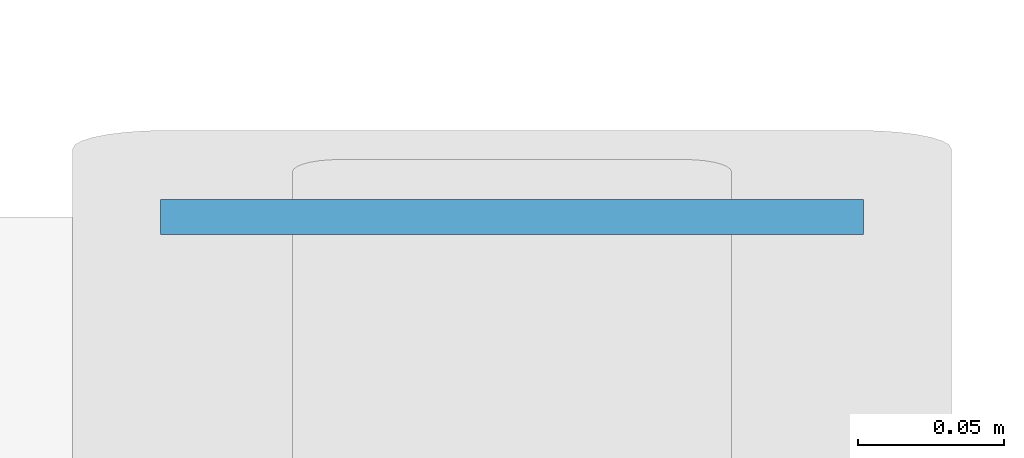
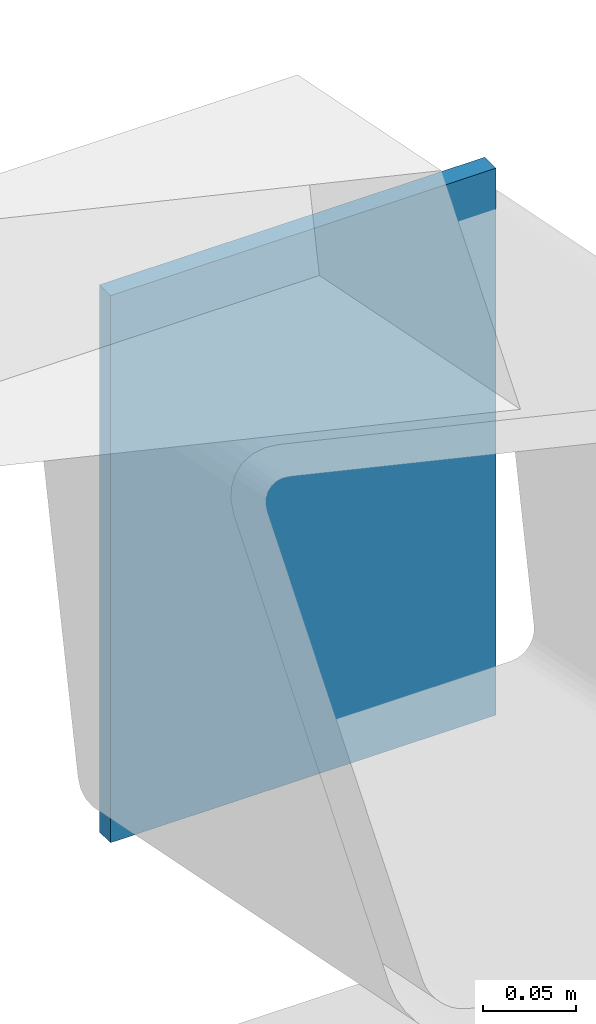
# One storey, part 58 of 83: 1 plate.
"""IFC4 building model written with IfcOpenShell, lengths in metres."""

import ifcopenshell
import ifcopenshell.guid

model = None  # the IFC model being written
_history = None  # IfcOwnerHistory: only IFC2X3 demands one
_inside = {}  # id of a spatial element -> (the spatial element, [elements in it])
_under = {}  # id of a project, library or spatial element -> (it, [spatial elements below it])
_declared = {}  # id of a project -> (the project, [libraries it declares])
_typed = {}  # id of a type object -> (the type object, [elements of that type])
_made_of = {}  # id of a material, layer set ... -> (it, [elements and type objects made of it])


def new_model(schema):
    """Start an empty IFC model of exactly this schema.

    Asked for "IFC4X3", IfcOpenShell would pick the latest addendum, in which some entities
    have other attributes; the version numbers below select the first issue.
    IFC2X3 requires an IfcOwnerHistory on every rooted entity: one is made here for all.
    """
    global model, _history
    if schema == "IFC4X3":
        model = ifcopenshell.file(schema_version=(4, 3, 0, 0))
    else:
        model = ifcopenshell.file(schema=schema)
    _inside.clear()
    _under.clear()
    _declared.clear()
    _typed.clear()
    _made_of.clear()
    _history = None
    if model.schema == "IFC2X3":
        org = make("IfcOrganization", Name="unknown")
        user = make(
            "IfcPersonAndOrganization",
            ThePerson=make("IfcPerson", FamilyName="unknown"),
            TheOrganization=org,
        )
        app = make(
            "IfcApplication",
            ApplicationDeveloper=org,
            Version="unknown",
            ApplicationFullName="unknown",
            ApplicationIdentifier="unknown",
        )
        _history = make(
            "IfcOwnerHistory",
            OwningUser=user,
            OwningApplication=app,
            ChangeAction="ADDED",
            CreationDate=0,
        )
    return model


def make(cls, **values):
    """One entity of the class cls with the attributes given. An attribute that is None is left unset."""
    return model.create_entity(
        cls, **{name: value for name, value in values.items() if value is not None}
    )


def rooted(cls, **values):
    """An entity with a GlobalId (a new one), such as an element, a storey or a relation."""
    return make(cls, GlobalId=ifcopenshell.guid.new(), OwnerHistory=_history, **values)


def si_unit(unit_type, name, prefix=None):
    """IfcSIUnit, for example si_unit("LENGTHUNIT", "METRE", prefix="MILLI")."""
    return make("IfcSIUnit", UnitType=unit_type, Prefix=prefix, Name=name)


def assignment(units):
    """IfcUnitAssignment: the units of a project."""
    return None if units is None else make("IfcUnitAssignment", Units=units)


def point(xyz):
    """IfcCartesianPoint."""
    return None if xyz is None else make("IfcCartesianPoint", Coordinates=xyz)


def direction(xyz):
    """IfcDirection."""
    return None if xyz is None else make("IfcDirection", DirectionRatios=xyz)


def frame(location, z_axis=None, x_axis=None):
    """IfcAxis2Placement3D, a coordinate frame: its origin and axes. An axis left out is left unset."""
    return make(
        "IfcAxis2Placement3D",
        Location=point(location),
        Axis=direction(z_axis),
        RefDirection=direction(x_axis),
    )


def frame_2d(location, x_axis=None):
    """IfcAxis2Placement2D, a coordinate frame in the plane: its origin and x axis."""
    return make(
        "IfcAxis2Placement2D", Location=point(location), RefDirection=direction(x_axis)
    )


def origin():
    """The frame at (0, 0, 0) with its axes left unset."""
    return frame((0.0, 0.0, 0.0))


def origin_2d():
    """The frame at (0, 0) in the plane with its x axis left unset."""
    return frame_2d((0.0, 0.0))


def place(relative_to, where):
    """IfcLocalPlacement: puts the frame where relative to a parent placement (None: the world)."""
    return make(
        "IfcLocalPlacement", PlacementRelTo=relative_to, RelativePlacement=where
    )


def context(
    kind, dimensions, precision=None, world=None, true_north=None, identifier=None
):
    """IfcGeometricRepresentationContext, for example the 3D "Model" context."""
    return make(
        "IfcGeometricRepresentationContext",
        ContextIdentifier=identifier,
        ContextType=kind,
        CoordinateSpaceDimension=dimensions,
        Precision=precision,
        WorldCoordinateSystem=world,
        TrueNorth=true_north,
    )


def subcontext(parent, identifier, kind, view, scale=None):
    """IfcGeometricRepresentationSubContext, for example "Body" below "Model"."""
    return make(
        "IfcGeometricRepresentationSubContext",
        ContextIdentifier=identifier,
        ContextType=kind,
        ParentContext=parent,
        TargetScale=scale,
        TargetView=view,
    )


def project(units=None, contexts=None):
    """IfcProject with its units and contexts."""
    return rooted(
        "IfcProject",
        Name="project",
        RepresentationContexts=contexts,
        UnitsInContext=assignment(units),
    )


def spatial(cls, under=None, at=None, **own):
    """A site, building, storey or space (cls), placed at a placement, below another one or the project."""
    s = rooted(cls, ObjectPlacement=at, **own)
    if under is not None:
        _under.setdefault(under.id(), (under, []))[1].append(s)
    return s


def profile(cls, at=None, kind="AREA", **sizes):
    """A parametric profile (cls). Its sizes go by their IFC names, for example OverallWidth=200.0."""
    return make(cls, ProfileType=kind, Position=at, **sizes)


def rectangle(**sizes):
    """IfcRectangleProfileDef."""
    return profile("IfcRectangleProfileDef", **sizes)


def extrude(swept, where, along, depth):
    """IfcExtrudedAreaSolid: the profile swept, set in the frame where, extruded along a direction by depth."""
    return make(
        "IfcExtrudedAreaSolid",
        SweptArea=swept,
        Position=where,
        ExtrudedDirection=direction(along),
        Depth=depth,
    )


def shape(context_of_items, identifier, shape_type, items):
    """IfcShapeRepresentation: the items that make up one representation, for example the "Body"."""
    return make(
        "IfcShapeRepresentation",
        ContextOfItems=context_of_items,
        RepresentationIdentifier=identifier,
        RepresentationType=shape_type,
        Items=items,
    )


def material(Name=None, Category=None):
    """IfcMaterial."""
    return make("IfcMaterial", Name=Name, Category=Category)


def layer(
    of_material, thickness, ventilated=None, Name=None, Category=None, Priority=None
):
    """IfcMaterialLayer: one layer of a wall or slab, of a material (None: an air gap)."""
    return make(
        "IfcMaterialLayer",
        Material=of_material,
        LayerThickness=thickness,
        IsVentilated=ventilated,
        Name=Name,
        Category=Category,
        Priority=Priority,
    )


def layer_set(layers, Name=None):
    """IfcMaterialLayerSet."""
    return make("IfcMaterialLayerSet", MaterialLayers=layers, LayerSetName=Name)


def made_of(thing, what):
    """Note that an element or type object is made of a material, layer set ...; save() writes the relation."""
    if what is not None:
        _made_of.setdefault(what.id(), (what, []))[1].append(thing)
    return thing


def type_object(cls, material=None, **own):
    """A type object (cls), such as IfcWallType, which elements share."""
    return made_of(rooted(cls, **own), material)


def element(
    cls,
    number,
    at=None,
    inside=None,
    cuts=None,
    type_object=None,
    material=None,
    context=None,
    identifier="Body",
    shape_type=None,
    held_by="IfcProductDefinitionShape",
    body=None,
    shapes=None,
    **own,
):
    """One element of the class cls, such as IfcWall. Its Tag is "e" and its number.

    at: its placement. inside: the storey or other place that contains it. cuts: it is an
    opening in that element (IfcRelVoidsElement). A single representation is given by context,
    identifier, shape_type and body (its items); several are given by shapes. held_by: the class
    of the entity that holds the representations. save() writes the other relations.
    """
    e = rooted(cls, Tag="e%d" % number, ObjectPlacement=at, **own)
    if body is not None:
        shapes = [shape(context, identifier, shape_type, body)]
    if shapes is not None:
        e.Representation = make(held_by, Representations=shapes)
    if inside is not None:
        _inside.setdefault(inside.id(), (inside, []))[1].append(e)
    if cuts is not None:
        rooted(
            "IfcRelVoidsElement", RelatingBuildingElement=cuts, RelatedOpeningElement=e
        )
    if type_object is not None:
        _typed.setdefault(type_object.id(), (type_object, []))[1].append(e)
    return made_of(e, material)


def aggregate(whole, parts):
    """IfcRelAggregates: a whole, such as a stair, and the parts it consists of."""
    return rooted("IfcRelAggregates", RelatingObject=whole, RelatedObjects=parts)


def save(model, path):
    """Write the relations noted so far, then the file.

    IfcRelAggregates (storeys below a building ...), IfcRelContainedInSpatialStructure (elements
    in a storey), IfcRelDefinesByType, IfcRelAssociatesMaterial and IfcRelDeclares: one each for
    every whole, place, type object, material and project.
    """
    for whole, parts in _under.values():
        aggregate(whole, parts)
    for where, things in _inside.values():
        rooted(
            "IfcRelContainedInSpatialStructure",
            RelatedElements=things,
            RelatingStructure=where,
        )
    for kind, things in _typed.values():
        rooted("IfcRelDefinesByType", RelatedObjects=things, RelatingType=kind)
    for what, things in _made_of.values():
        rooted("IfcRelAssociatesMaterial", RelatedObjects=things, RelatingMaterial=what)
    for by, libraries in _declared.values():
        rooted("IfcRelDeclares", RelatingContext=by, RelatedDefinitions=libraries)
    model.write(path)


model = new_model("IFC4")

# Units and contexts
model_context = context("Model", 3, precision=1e-05, world=origin(), true_north=direction((0.0, 1.0)))
body_context = subcontext(model_context, "Body", "Model", "MODEL_VIEW")
ifc_project = project(units=[si_unit("LENGTHUNIT", "METRE"), si_unit("AREAUNIT", "SQUARE_METRE"), si_unit("VOLUMEUNIT", "CUBIC_METRE"), si_unit("PLANEANGLEUNIT", "RADIAN"), si_unit("MASSUNIT", "GRAM", prefix="KILO")], contexts=[model_context])

# Site, building, storey
site_placement = place(None, origin())
site = spatial("IfcSite", under=ifc_project, at=site_placement, CompositionType="ELEMENT")
building_placement = place(site_placement, origin())
building = spatial("IfcBuilding", under=site, at=building_placement, Name="Varnakota Square Police Headquarters", CompositionType="ELEMENT")
storey_placement = place(building_placement, frame((0.0, 0.0, 18.0)))
storey = spatial("IfcBuildingStorey", under=building, at=storey_placement, Name="L04", CompositionType="ELEMENT", Elevation=18.0)

# Plate
ifc_material = material(Name="Steel IS 2062 Grade 350", Category="steel")
ifc_layer = layer(ifc_material, 0.011962890625, Name="Steel IS 2062 Grade 350")
ifc_layer_set = layer_set([ifc_layer], Name="Steel IS 2062 Grade 350")
plate_type = type_object("IfcPlateType", Name="PL-END-12", PredefinedType="SHEET", material=ifc_layer_set)
plate_placement = place(storey_placement, frame((54.0, 105.0, -0.4599609375), z_axis=(0.0, 0.0, 1.0), x_axis=(1.0, 0.0, 0.0)))
element("IfcPlate", 1, at=plate_placement, inside=storey, type_object=plate_type, Name="Hollow chord end-cap plate EP-016", PredefinedType="SHEET", context=body_context, shape_type="SweptSolid", body=[
    extrude(rectangle(XDim=0.239990234375, YDim=0.011962890625, at=origin_2d()), origin(), (0.0, 0.0, 1.0), 0.360107421875),
])

save(model, "model.ifc")
